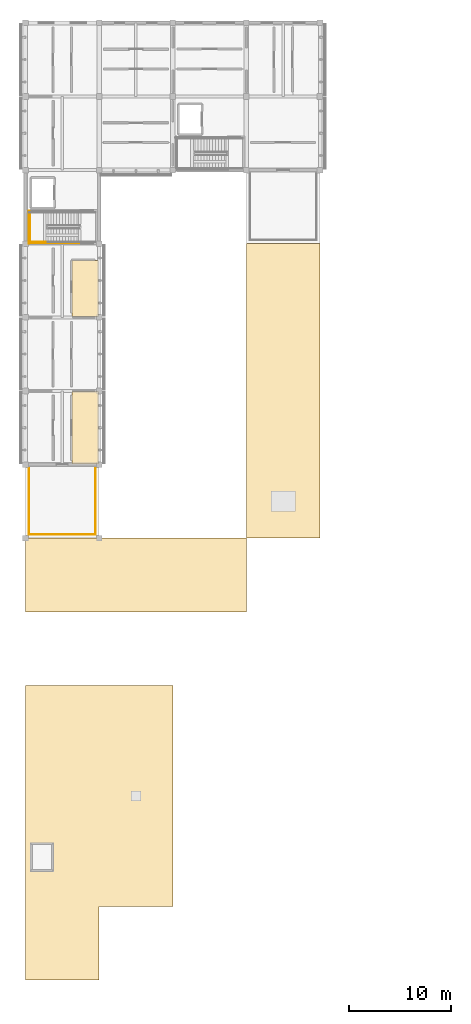
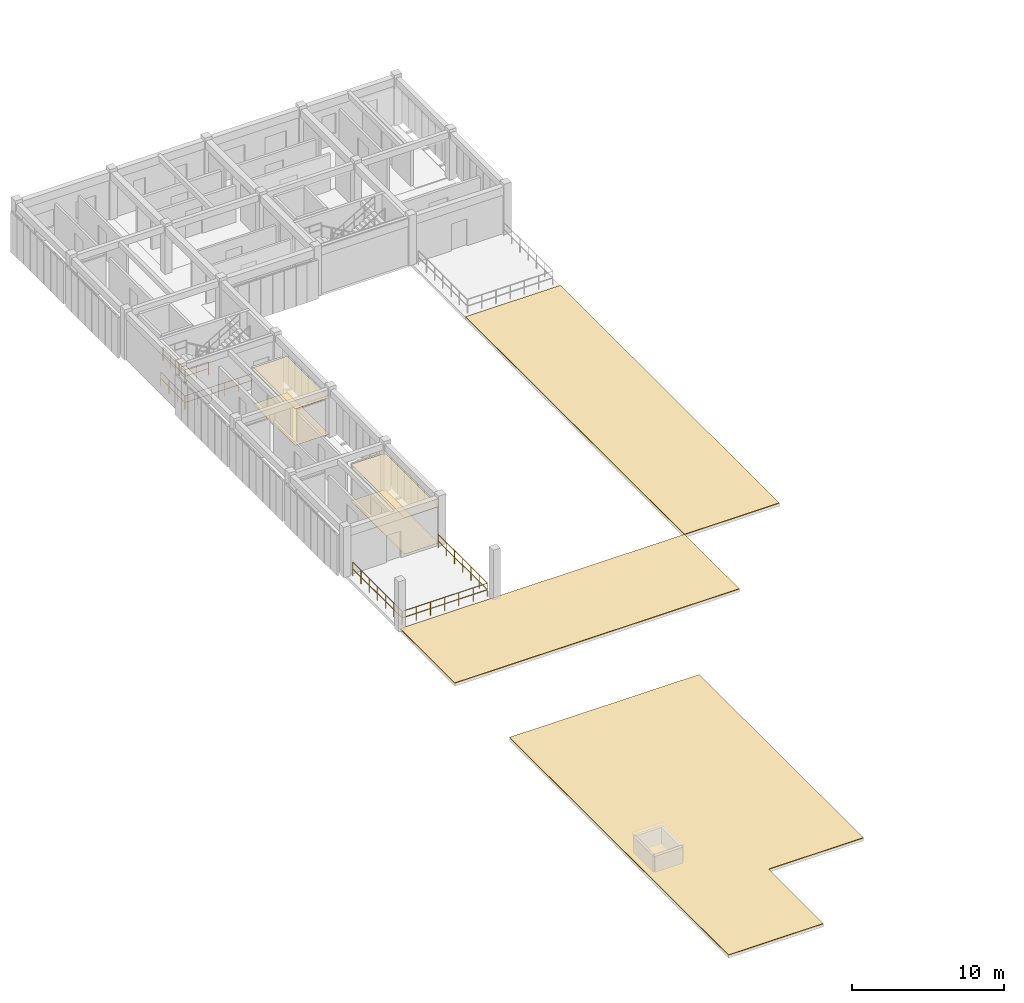
# One storey, part 31 of 33: 7 coverings, 7 railings.
"""IFC4 building model written with IfcOpenShell, lengths in metres."""

from ifc_helpers import new_model, si_unit, direction, frame, origin, origin_2d, place, context, subcontext, project, spatial, polyline, circle, outline, extrude, material, layer, layer_set, type_object, element, save


model = new_model("IFC4")

# Units and contexts
model_context = context("Model", 3, precision=1e-05, world=origin(), true_north=direction((0.0, 1.0)))
body_context = subcontext(model_context, "Body", "Model", "MODEL_VIEW")
ifc_project = project(units=[si_unit("LENGTHUNIT", "METRE"), si_unit("AREAUNIT", "SQUARE_METRE"), si_unit("VOLUMEUNIT", "CUBIC_METRE"), si_unit("PLANEANGLEUNIT", "RADIAN"), si_unit("MASSUNIT", "GRAM", prefix="KILO")], contexts=[model_context])

# Site, building, storey
site_placement = place(None, origin())
site = spatial("IfcSite", under=ifc_project, at=site_placement, CompositionType="ELEMENT")
building_placement = place(site_placement, origin())
building = spatial("IfcBuilding", under=site, at=building_placement, Name="Aldebral Square Health Centre", CompositionType="ELEMENT")
storey_placement = place(building_placement, frame((0.0, 0.0, 17.550048828125)))
storey = spatial("IfcBuildingStorey", under=building, at=storey_placement, Name="L04", CompositionType="ELEMENT", Elevation=17.550048828125)

# Coverings
ifc_material_1 = material(Name="Hygienic acoustic mineral ceiling tile")
ifc_layer_1 = layer(ifc_material_1, 0.02001953125, Name="Hygienic acoustic mineral ceiling tile")
ifc_layer_set_1 = layer_set([ifc_layer_1], Name="Hygienic acoustic mineral ceiling tile")
covering_type_1 = type_object("IfcCoveringType", Name="COV-CLG-AC", PredefinedType="CEILING", material=ifc_layer_set_1)
covering_1_placement = place(storey_placement, frame((0.0, 0.0, 2.919921875)))
element("IfcCovering", 1, at=covering_1_placement, inside=storey, type_object=covering_type_1, Name="L04 Neurology Consulting Suite 1.11E acoustic ceiling", PredefinedType="CEILING", context=body_context, shape_type="SweptSolid", body=[
    extrude(outline(polyline([(4.5400390625, 72.06005859375), (7.139892578125, 72.06005859375), (7.139892578125, 79.139892578125), (4.5400390625, 79.139892578125), (4.5400390625, 72.06005859375)])), origin(), (0.0, 0.0, 1.0), 0.02001953125),
])
covering_2_placement = place(storey_placement, frame((0.0, 0.0, 2.919921875)))
element("IfcCovering", 2, at=covering_2_placement, inside=storey, type_object=covering_type_1, Name="L04 Accessible WC 1.13E acoustic ceiling", PredefinedType="CEILING", context=body_context, shape_type="SweptSolid", body=[
    extrude(outline(polyline([(4.5400390625, 86.4599609375), (7.139892578125, 86.4599609375), (7.139892578125, 91.97998046875), (4.5400390625, 91.97998046875), (4.5400390625, 86.4599609375)])), origin(), (0.0, 0.0, 1.0), 0.02001953125),
])
ifc_material_2 = material(Name="Antimicrobial clinical vinyl flooring")
ifc_layer_2 = layer(ifc_material_2, 0.014892578125, Name="Antimicrobial clinical vinyl flooring")
ifc_layer_set_2 = layer_set([ifc_layer_2], Name="Antimicrobial clinical vinyl flooring")
covering_type_2 = type_object("IfcCoveringType", Name="COV-FLR-VN", PredefinedType="FLOORING", material=ifc_layer_set_2)
covering_3_placement = place(storey_placement, origin())
element("IfcCovering", 3, at=covering_3_placement, inside=storey, type_object=covering_type_2, Name="L04 Neurology Consulting Suite 1.11E clinical flooring", PredefinedType="FLOORING", context=body_context, shape_type="SweptSolid", body=[
    extrude(outline(polyline([(4.5400390625, 72.06005859375), (7.139892578125, 72.06005859375), (7.139892578125, 79.139892578125), (4.5400390625, 79.139892578125), (4.5400390625, 72.06005859375)])), origin(), (0.0, 0.0, 1.0), 0.014892578125),
])
covering_4_placement = place(storey_placement, origin())
element("IfcCovering", 4, at=covering_4_placement, inside=storey, type_object=covering_type_2, Name="L04 Accessible WC 1.13E clinical flooring", PredefinedType="FLOORING", context=body_context, shape_type="SweptSolid", body=[
    extrude(outline(polyline([(4.5400390625, 86.4599609375), (7.139892578125, 86.4599609375), (7.139892578125, 91.97998046875), (4.5400390625, 91.97998046875), (4.5400390625, 86.4599609375)])), origin(), (0.0, 0.0, 1.0), 0.014892578125),
])
ifc_material_3 = material(Name="Reflective insulated membrane roofing")
ifc_layer_3 = layer(ifc_material_3, 0.050048828125, Name="Reflective insulated membrane roofing")
ifc_layer_set_3 = layer_set([ifc_layer_3], Name="Reflective insulated membrane roofing")
covering_type_3 = type_object("IfcCoveringType", Name="COV-RF-50", PredefinedType="ROOFING", material=ifc_layer_set_3)
covering_5_placement = place(storey_placement, origin())
element("IfcCovering", 5, at=covering_5_placement, inside=storey, type_object=covering_type_3, Name="L03 V4 roof slab 1 insulated roof membrane", PredefinedType="ROOFING", context=body_context, shape_type="SweptSolid", body=[
    extrude(outline(polyline([(7.199951171875, 64.800048828125), (14.39990234375, 64.800048828125), (21.60009765625, 64.800048828125), (21.60009765625, 57.60009765625), (14.39990234375, 57.60009765625), (7.199951171875, 57.60009765625), (0.0, 57.60009765625), (0.0, 64.800048828125), (7.199951171875, 64.800048828125)])), origin(), (0.0, 0.0, 1.0), 0.050048828125),
])
covering_6_placement = place(storey_placement, origin())
element("IfcCovering", 6, at=covering_6_placement, inside=storey, type_object=covering_type_3, Name="L03 V4 roof slab 2 insulated roof membrane", PredefinedType="ROOFING", context=body_context, shape_type="SweptSolid", body=[
    extrude(outline(polyline([(21.60009765625, 79.199951171875), (21.60009765625, 86.39990234375), (21.60009765625, 93.60009765625), (28.800048828125, 93.60009765625), (28.800048828125, 86.39990234375), (28.800048828125, 79.199951171875), (28.800048828125, 72.0), (28.800048828125, 64.800048828125), (21.60009765625, 64.800048828125), (21.60009765625, 72.0), (21.60009765625, 79.199951171875)])), origin(), (0.0, 0.0, 1.0), 0.050048828125),
])
covering_7_placement = place(storey_placement, origin())
element("IfcCovering", 7, at=covering_7_placement, inside=storey, type_object=covering_type_3, Name="L03 V6 roof slab 1 insulated roof membrane", PredefinedType="ROOFING", context=body_context, shape_type="SweptSolid", body=[
    extrude(outline(polyline([(0.0, 28.800048828125), (0.0, 36.0), (0.0, 43.199951171875), (0.0, 50.39990234375), (7.199951171875, 50.39990234375), (14.39990234375, 50.39990234375), (14.39990234375, 43.199951171875), (14.39990234375, 36.0), (14.39990234375, 28.800048828125), (7.199951171875, 28.800048828125), (7.199951171875, 21.60009765625), (0.0, 21.60009765625), (0.0, 28.800048828125)])), origin(), (0.0, 0.0, 1.0), 0.050048828125),
])

# Railings
ifc_material_4 = material(Name="Cream cantera and steel balustrade", Category="steel")
railing_type_1 = type_object("IfcRailingType", Name="RL-EXT-BAL", PredefinedType="BALUSTRADE", material=ifc_material_4)
railing_1_placement = place(storey_placement, frame((0.360107421875, 65.159912109375, 0.0)))
element("IfcRailing", 8, at=railing_1_placement, inside=storey, type_object=railing_type_1, Name="L04 Garden Terrace perimeter guard 2", PredefinedType="BALUSTRADE", context=body_context, shape_type="SweptSolid", body=[
    extrude(circle(Radius=0.02392578125, at=origin_2d()), frame((0.0, 0.0, 1.09619140625), z_axis=(0.0, 1.0, 0.0), x_axis=(-1.0, 0.0, 0.0)), (0.0, 0.0, 1.0), 6.47998046875),
    extrude(circle(Radius=0.02392578125, at=origin_2d()), frame((0.0, 0.0, 0.56005859375), z_axis=(0.0, 1.0, 0.0), x_axis=(-1.0, 0.0, 0.0)), (0.0, 0.0, 1.0), 6.47998046875),
    extrude(circle(Radius=0.02099609375, at=origin_2d()), origin(), (0.0, 0.0, 1.0), 1.072021484375),
    extrude(circle(Radius=0.02099609375, at=origin_2d()), frame((0.0, 1.080078125, 0.0)), (0.0, 0.0, 1.0), 1.072021484375),
    extrude(circle(Radius=0.02099609375, at=origin_2d()), frame((0.0, 2.159912109375, 0.0)), (0.0, 0.0, 1.0), 1.072021484375),
    extrude(circle(Radius=0.02099609375, at=origin_2d()), frame((0.0, 3.239990234375, 0.0)), (0.0, 0.0, 1.0), 1.072021484375),
    extrude(circle(Radius=0.02099609375, at=origin_2d()), frame((0.0, 4.320068359375, 0.0)), (0.0, 0.0, 1.0), 1.072021484375),
    extrude(circle(Radius=0.02099609375, at=origin_2d()), frame((0.0, 5.39990234375, 0.0)), (0.0, 0.0, 1.0), 1.072021484375),
    extrude(circle(Radius=0.02099609375, at=origin_2d()), frame((0.0, 6.47998046875, 0.0)), (0.0, 0.0, 1.0), 1.072021484375),
])
ifc_material_5 = material(Name="Painted steel S355JR guard", Category="steel")
railing_type_2 = type_object("IfcRailingType", Name="RL-EXT-GRD", PredefinedType="GUARDRAIL", material=ifc_material_5)
railing_2_placement = place(storey_placement, frame((0.360107421875, 65.159912109375, 0.0)))
element("IfcRailing", 9, at=railing_2_placement, inside=storey, type_object=railing_type_2, Name="L04 Garden Terrace perimeter guard 1", PredefinedType="GUARDRAIL", context=body_context, shape_type="SweptSolid", body=[
    extrude(circle(Radius=0.02392578125, at=origin_2d()), frame((0.0, 0.0, 1.076171875), z_axis=(1.0, 0.0, 0.0), x_axis=(0.0, 1.0, 0.0)), (0.0, 0.0, 1.0), 6.47998046875),
    extrude(circle(Radius=0.02392578125, at=origin_2d()), frame((0.0, 0.0, 0.550048828125), z_axis=(1.0, 0.0, 0.0), x_axis=(0.0, 1.0, 0.0)), (0.0, 0.0, 1.0), 6.47998046875),
    extrude(circle(Radius=0.02099609375, at=origin_2d()), origin(), (0.0, 0.0, 1.0), 1.052001953125),
    extrude(circle(Radius=0.02099609375, at=origin_2d()), frame((1.080078125, 0.0, 0.0)), (0.0, 0.0, 1.0), 1.052001953125),
    extrude(circle(Radius=0.02099609375, at=origin_2d()), frame((2.159912109375, 0.0, 0.0)), (0.0, 0.0, 1.0), 1.052001953125),
    extrude(circle(Radius=0.02099609375, at=origin_2d()), frame((3.239990234375, 0.0, 0.0)), (0.0, 0.0, 1.0), 1.052001953125),
    extrude(circle(Radius=0.02099609375, at=origin_2d()), frame((4.320068359375, 0.0, 0.0)), (0.0, 0.0, 1.0), 1.052001953125),
    extrude(circle(Radius=0.02099609375, at=origin_2d()), frame((5.39990234375, 0.0, 0.0)), (0.0, 0.0, 1.0), 1.052001953125),
    extrude(circle(Radius=0.02099609375, at=origin_2d()), frame((6.47998046875, 0.0, 0.0)), (0.0, 0.0, 1.0), 1.052001953125),
])
railing_3_placement = place(storey_placement, frame((6.840087890625, 65.159912109375, 0.0)))
element("IfcRailing", 10, at=railing_3_placement, inside=storey, type_object=railing_type_2, Name="L04 Garden Terrace perimeter guard 3", PredefinedType="GUARDRAIL", context=body_context, shape_type="SweptSolid", body=[
    extrude(circle(Radius=0.02392578125, at=origin_2d()), frame((0.0, 0.0, 1.076171875), z_axis=(0.0, 1.0, 0.0), x_axis=(-1.0, 0.0, 0.0)), (0.0, 0.0, 1.0), 6.47998046875),
    extrude(circle(Radius=0.02392578125, at=origin_2d()), frame((0.0, 0.0, 0.550048828125), z_axis=(0.0, 1.0, 0.0), x_axis=(-1.0, 0.0, 0.0)), (0.0, 0.0, 1.0), 6.47998046875),
    extrude(circle(Radius=0.02099609375, at=origin_2d()), origin(), (0.0, 0.0, 1.0), 1.052001953125),
    extrude(circle(Radius=0.02099609375, at=origin_2d()), frame((0.0, 1.080078125, 0.0)), (0.0, 0.0, 1.0), 1.052001953125),
    extrude(circle(Radius=0.02099609375, at=origin_2d()), frame((0.0, 2.159912109375, 0.0)), (0.0, 0.0, 1.0), 1.052001953125),
    extrude(circle(Radius=0.02099609375, at=origin_2d()), frame((0.0, 3.239990234375, 0.0)), (0.0, 0.0, 1.0), 1.052001953125),
    extrude(circle(Radius=0.02099609375, at=origin_2d()), frame((0.0, 4.320068359375, 0.0)), (0.0, 0.0, 1.0), 1.052001953125),
    extrude(circle(Radius=0.02099609375, at=origin_2d()), frame((0.0, 5.39990234375, 0.0)), (0.0, 0.0, 1.0), 1.052001953125),
    extrude(circle(Radius=0.02099609375, at=origin_2d()), frame((0.0, 6.47998046875, 0.0)), (0.0, 0.0, 1.0), 1.052001953125),
])
ifc_material_6 = material(Name="Painted steel S355JR stair guard", Category="steel")
railing_type_3 = type_object("IfcRailingType", Name="RL-ST-GRD", PredefinedType="GUARDRAIL", material=ifc_material_6)
railing_4_placement = place(storey_placement, frame((2.18505859375, 93.77001953125, 2.02490234375)))
element("IfcRailing", 11, at=railing_4_placement, inside=storey, type_object=railing_type_3, Name="L04 ST-01 stair guard 4", PredefinedType="GUARDRAIL", context=body_context, shape_type="SweptSolid", body=[
    extrude(circle(Radius=0.02392578125, at=origin_2d()), frame((0.0, 0.0, 1.09619140625), z_axis=(-1.0, 0.0, 0.0), x_axis=(0.0, -1.0, 0.0)), (0.0, 0.0, 1.0), 1.80517578125),
    extrude(circle(Radius=0.02392578125, at=origin_2d()), frame((0.0, 0.0, 0.56005859375), z_axis=(-1.0, 0.0, 0.0), x_axis=(0.0, -1.0, 0.0)), (0.0, 0.0, 1.0), 1.80517578125),
    extrude(circle(Radius=0.02099609375, at=origin_2d()), origin(), (0.0, 0.0, 1.0), 1.072021484375),
    extrude(circle(Radius=0.02099609375, at=origin_2d()), frame((-0.902587890625, 0.0, 0.0)), (0.0, 0.0, 1.0), 1.072021484375),
    extrude(circle(Radius=0.02099609375, at=origin_2d()), frame((-1.80517578125, 0.0, 0.0)), (0.0, 0.0, 1.0), 1.072021484375),
])
railing_5_placement = place(storey_placement, frame((0.429931640625, 96.719970703125, 2.02490234375)))
element("IfcRailing", 12, at=railing_5_placement, inside=storey, type_object=railing_type_3, Name="L04 ST-01 stair guard 5", PredefinedType="GUARDRAIL", context=body_context, shape_type="SweptSolid", body=[
    extrude(circle(Radius=0.02392578125, at=origin_2d()), frame((0.0, 0.0, 1.09619140625), z_axis=(0.0, -1.0, 0.0), x_axis=(1.0, 0.0, 0.0)), (0.0, 0.0, 1.0), 3.0),
    extrude(circle(Radius=0.02392578125, at=origin_2d()), frame((0.0, 0.0, 0.56005859375), z_axis=(0.0, -1.0, 0.0), x_axis=(1.0, 0.0, 0.0)), (0.0, 0.0, 1.0), 3.0),
    extrude(circle(Radius=0.02099609375, at=origin_2d()), origin(), (0.0, 0.0, 1.0), 1.072021484375),
    extrude(circle(Radius=0.02099609375, at=origin_2d()), frame((0.0, -1.0, 0.0)), (0.0, 0.0, 1.0), 1.072021484375),
    extrude(circle(Radius=0.02099609375, at=origin_2d()), frame((0.0, -2.0, 0.0)), (0.0, 0.0, 1.0), 1.072021484375),
    extrude(circle(Radius=0.02099609375, at=origin_2d()), frame((0.0, -3.0, 0.0)), (0.0, 0.0, 1.0), 1.072021484375),
])
railing_6_placement = place(storey_placement, frame((5.419921875, 93.669921875, 0.0)))
element("IfcRailing", 13, at=railing_6_placement, inside=storey, type_object=railing_type_3, Name="L04 ST-01 stair guard 11", PredefinedType="GUARDRAIL", context=body_context, shape_type="SweptSolid", body=[
    extrude(circle(Radius=0.02392578125, at=origin_2d()), frame((0.0, 0.0, 1.09619140625), z_axis=(-1.0, 0.0, 0.0), x_axis=(0.0, -1.0, 0.0)), (0.0, 0.0, 1.0), 5.139892578125),
    extrude(circle(Radius=0.02392578125, at=origin_2d()), frame((0.0, 0.0, 0.56005859375), z_axis=(-1.0, 0.0, 0.0), x_axis=(0.0, -1.0, 0.0)), (0.0, 0.0, 1.0), 5.139892578125),
    extrude(circle(Radius=0.02099609375, at=origin_2d()), origin(), (0.0, 0.0, 1.0), 1.072021484375),
    extrude(circle(Radius=0.02099609375, at=origin_2d()), frame((-1.028076171875, 0.0, 0.0)), (0.0, 0.0, 1.0), 1.072021484375),
    extrude(circle(Radius=0.02099609375, at=origin_2d()), frame((-2.055908203125, 0.0, 0.0)), (0.0, 0.0, 1.0), 1.072021484375),
    extrude(circle(Radius=0.02099609375, at=origin_2d()), frame((-3.083984375, 0.0, 0.0)), (0.0, 0.0, 1.0), 1.072021484375),
    extrude(circle(Radius=0.02099609375, at=origin_2d()), frame((-4.11181640625, 0.0, 0.0)), (0.0, 0.0, 1.0), 1.072021484375),
    extrude(circle(Radius=0.02099609375, at=origin_2d()), frame((-5.139892578125, 0.0, 0.0)), (0.0, 0.0, 1.0), 1.072021484375),
])
railing_7_placement = place(storey_placement, frame((0.330078125, 96.820068359375, 0.0)))
element("IfcRailing", 14, at=railing_7_placement, inside=storey, type_object=railing_type_3, Name="L04 ST-01 stair guard 12", PredefinedType="GUARDRAIL", context=body_context, shape_type="SweptSolid", body=[
    extrude(circle(Radius=0.02392578125, at=origin_2d()), frame((0.0, 0.0, 1.09619140625), z_axis=(0.0, -1.0, 0.0), x_axis=(1.0, 0.0, 0.0)), (0.0, 0.0, 1.0), 3.199951171875),
    extrude(circle(Radius=0.02392578125, at=origin_2d()), frame((0.0, 0.0, 0.56005859375), z_axis=(0.0, -1.0, 0.0), x_axis=(1.0, 0.0, 0.0)), (0.0, 0.0, 1.0), 3.199951171875),
    extrude(circle(Radius=0.02099609375, at=origin_2d()), origin(), (0.0, 0.0, 1.0), 1.072021484375),
    extrude(circle(Radius=0.02099609375, at=origin_2d()), frame((0.0, -1.066650390625, 0.0)), (0.0, 0.0, 1.0), 1.072021484375),
    extrude(circle(Radius=0.02099609375, at=origin_2d()), frame((0.0, -2.13330078125, 0.0)), (0.0, 0.0, 1.0), 1.072021484375),
    extrude(circle(Radius=0.02099609375, at=origin_2d()), frame((0.0, -3.199951171875, 0.0)), (0.0, 0.0, 1.0), 1.072021484375),
])

save(model, "model.ifc")
